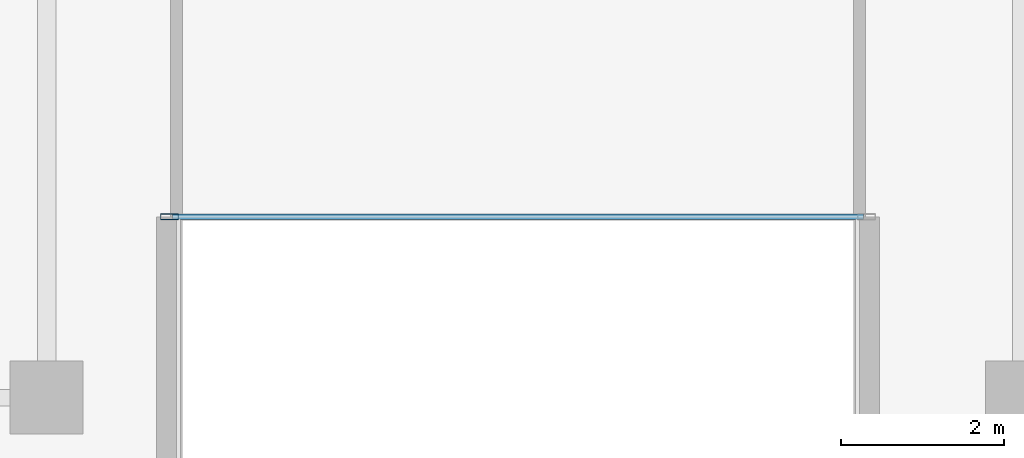
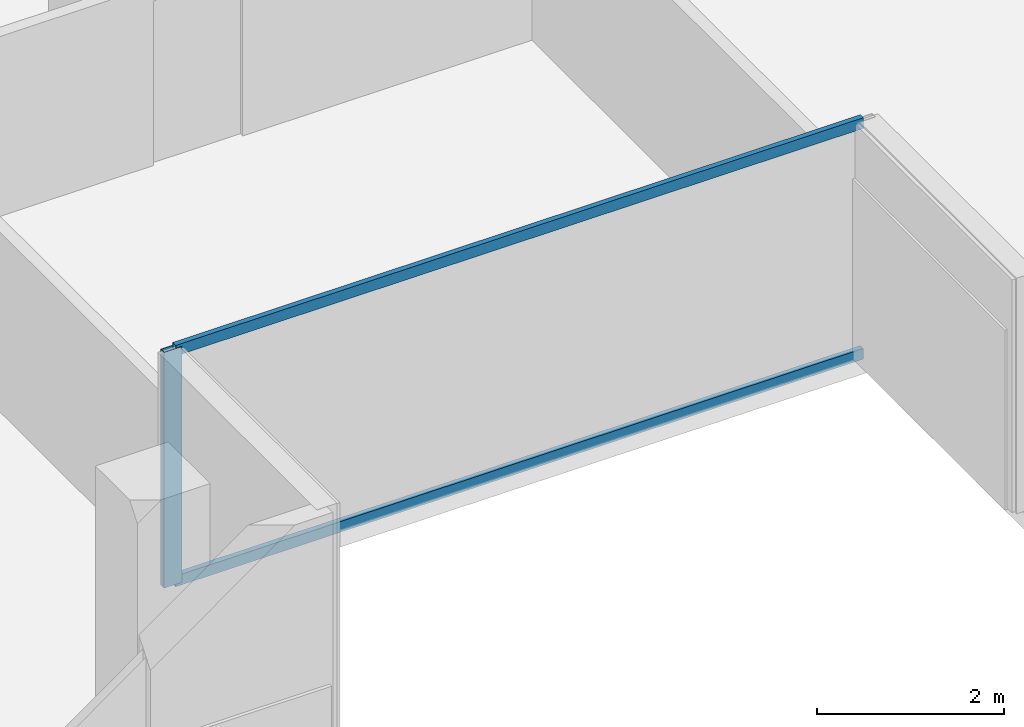
# One storey, part 2 of 19: 3 members, 1 element without a shape of its own.
"""IFC4 building model written with IfcOpenShell, lengths in metres."""

from ifc_helpers import new_model, si_unit, direction, frame, origin, origin_2d, place, context, subcontext, project, spatial, hollow_rectangle, extrude, material, layer, layer_set, material_profile, profile_set, type_object, element, aggregate, save


model = new_model("IFC4")

# Units and contexts
model_context = context("Model", 3, precision=1e-05, world=origin(), true_north=direction((0.0, 1.0)))
body_context = subcontext(model_context, "Body", "Model", "MODEL_VIEW")
ifc_project = project(units=[si_unit("LENGTHUNIT", "METRE"), si_unit("AREAUNIT", "SQUARE_METRE"), si_unit("VOLUMEUNIT", "CUBIC_METRE"), si_unit("PLANEANGLEUNIT", "RADIAN"), si_unit("MASSUNIT", "GRAM", prefix="KILO")], contexts=[model_context])

# Site, building, storey
site_placement = place(None, origin())
site = spatial("IfcSite", under=ifc_project, at=site_placement, CompositionType="ELEMENT")
building_placement = place(site_placement, origin())
building = spatial("IfcBuilding", under=site, at=building_placement, Name="Tanjung Sevakor Pilgrim Tower", CompositionType="ELEMENT")
storey_placement = place(building_placement, frame((0.0, 0.0, 132.0)))
storey = spatial("IfcBuildingStorey", under=building, at=storey_placement, Name="L36", CompositionType="ELEMENT", Elevation=132.0)

# Curtain wall, members
ifc_material_1 = material(Name="Aluminium 6063-T6 and Low-E Glass", Category="aluminium")
ifc_layer = layer(ifc_material_1, 0.179931640625)
ifc_layer_set = layer_set([ifc_layer], Name="CW-SYS-CLEFT")
curtain_wall_type = type_object("IfcCurtainWallType", Name="CW-SYS-CLEFT", PredefinedType="NOTDEFINED", material=ifc_layer_set)
curtain_wall_placement = place(storey_placement, origin())
curtain_wall = element("IfcCurtainWall", 1, at=curtain_wall_placement, inside=storey, type_object=curtain_wall_type, Name="L36 Curtain Wall CW-CLF-L36-2", PredefinedType="NOTDEFINED")
ifc_material_2 = material(Name="Aluminium 6063-T6", Category="aluminium")
ifc_material_profile_1 = material_profile(ifc_material_2, hollow_rectangle(XDim=0.074951171875, YDim=0.219970703125, WallThickness=0.0048828125, at=origin_2d()))
ifc_profile_set_1 = profile_set([ifc_material_profile_1], Name="Aluminium 6063-T6")
member_type_1 = type_object("IfcMemberType", Name="TYPE-CWM-2", PredefinedType="MULLION", material=ifc_profile_set_1)
member_1_placement = place(storey_placement, frame((43.512451171875, 15.425048828125, 0.0), z_axis=(0.0, 0.0, 1.0), x_axis=(0.0, 1.0, 0.0)))
member_1 = element("IfcMember", 2, at=member_1_placement, type_object=member_type_1, Name="CW-CLF mullion 1", PredefinedType="MULLION", context=body_context, shape_type="SweptSolid", body=[
    extrude(hollow_rectangle(XDim=0.074951171875, YDim=0.219970703125, WallThickness=0.0048828125, at=origin_2d()), origin(), (0.0, 0.0, 1.0), 3.080078125),
])
ifc_material_3 = material(Name="Aluminium 6063-T6", Category="aluminium")
ifc_material_profile_2 = material_profile(ifc_material_3, hollow_rectangle(XDim=0.06494140625, YDim=0.139892578125, WallThickness=0.00390625, at=origin_2d()))
ifc_profile_set_2 = profile_set([ifc_material_profile_2], Name="Aluminium 6063-T6")
member_type_2 = type_object("IfcMemberType", Name="TYPE-CWT-1", PredefinedType="USERDEFINED", material=ifc_profile_set_2)
member_2_placement = place(storey_placement, frame((43.550048828125, 15.425048828125, 0.032470703125), z_axis=(1.0, 0.0, 0.0), x_axis=(0.0, 1.0, 0.0)))
member_2 = element("IfcMember", 3, at=member_2_placement, type_object=member_type_2, Name="CW-CLF transom 1.1", ObjectType="TRANSOM", PredefinedType="USERDEFINED", context=body_context, shape_type="SweptSolid", body=[
    extrude(hollow_rectangle(XDim=0.06494140625, YDim=0.139892578125, WallThickness=0.00390625, at=origin_2d()), origin(), (0.0, 0.0, 1.0), 8.5),
])
member_3_placement = place(storey_placement, frame((43.550048828125, 15.425048828125, 3.047607421875), z_axis=(1.0, 0.0, 0.0), x_axis=(0.0, 1.0, 0.0)))
member_3 = element("IfcMember", 4, at=member_3_placement, type_object=member_type_2, Name="CW-CLF transom 1.2", ObjectType="TRANSOM", PredefinedType="USERDEFINED", context=body_context, shape_type="SweptSolid", body=[
    extrude(hollow_rectangle(XDim=0.06494140625, YDim=0.139892578125, WallThickness=0.00390625, at=origin_2d()), origin(), (0.0, 0.0, 1.0), 8.5),
])
aggregate(curtain_wall, [member_1, member_2, member_3])

save(model, "model.ifc")
